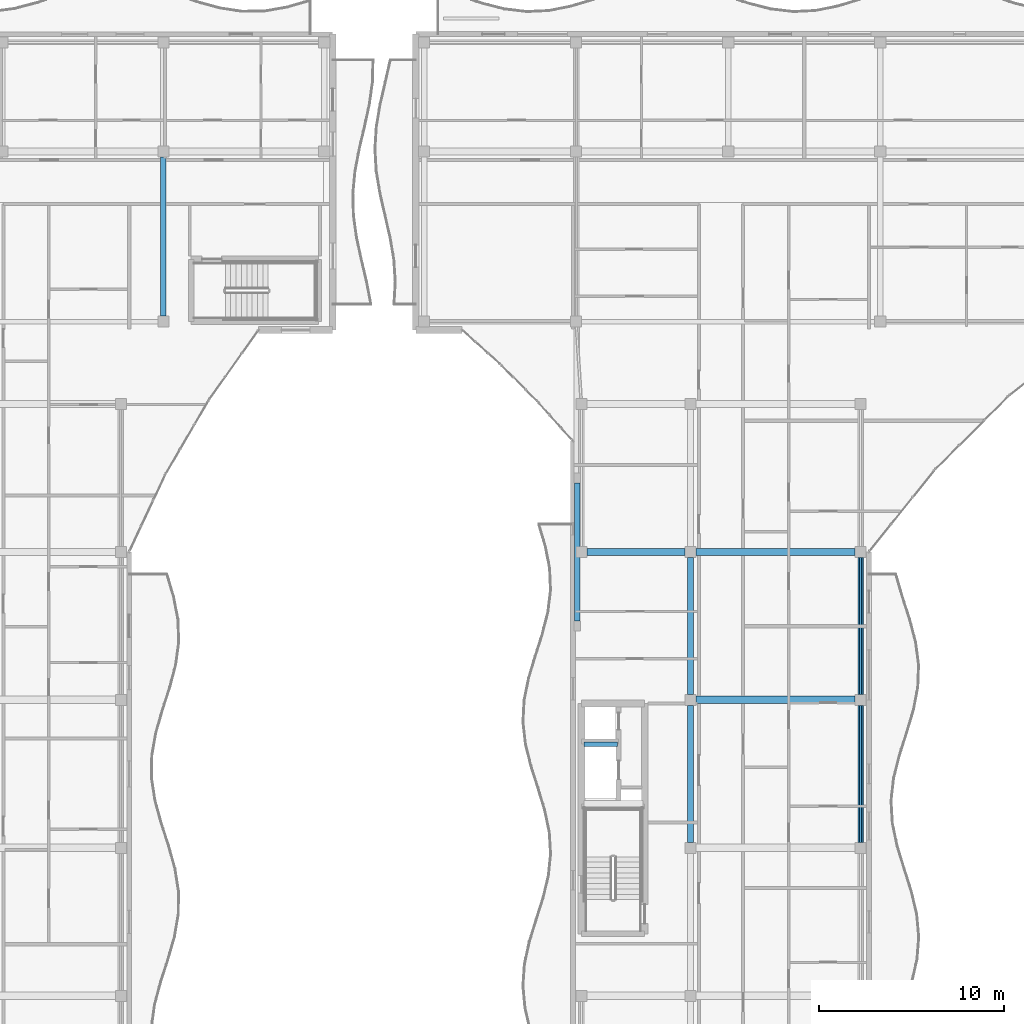
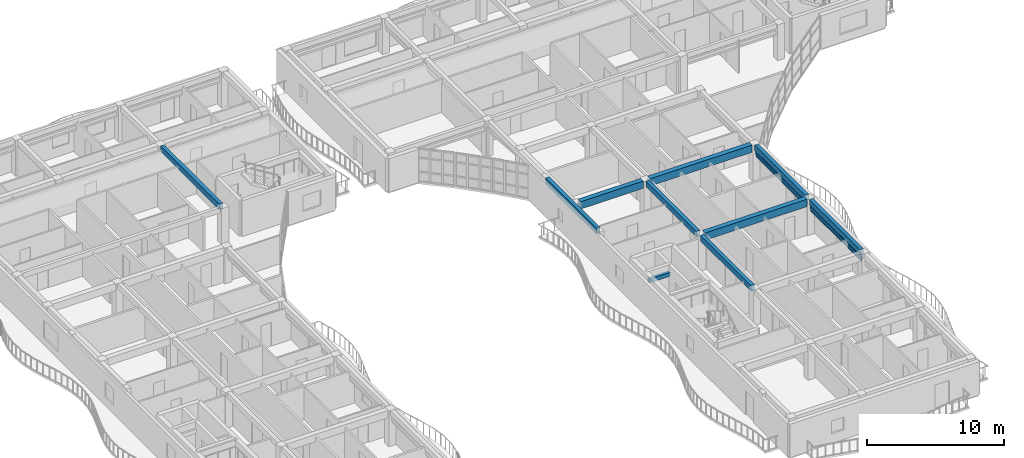
# One storey, part 9 of 79: 10 beams, 4 members.
"""IFC4 building model written with IfcOpenShell, lengths in metres."""

from ifc_helpers import new_model, si_unit, direction, frame, origin, origin_2d, place, context, subcontext, project, spatial, rectangle, hollow_rectangle, extrude, material, material_profile, profile_set, type_object, element, save


model = new_model("IFC4")

# Units and contexts
model_context = context("Model", 3, precision=1e-05, world=origin(), true_north=direction((0.0, 1.0)))
body_context = subcontext(model_context, "Body", "Model", "MODEL_VIEW")
ifc_project = project(units=[si_unit("LENGTHUNIT", "METRE"), si_unit("AREAUNIT", "SQUARE_METRE"), si_unit("VOLUMEUNIT", "CUBIC_METRE"), si_unit("PLANEANGLEUNIT", "RADIAN"), si_unit("MASSUNIT", "GRAM", prefix="KILO")], contexts=[model_context])

# Site, building, storey
site_placement = place(None, origin())
site = spatial("IfcSite", under=ifc_project, at=site_placement, CompositionType="ELEMENT")
building_placement = place(site_placement, origin())
building = spatial("IfcBuilding", under=site, at=building_placement, Name="Keldmere Railside Commons", CompositionType="ELEMENT")
storey_placement = place(building_placement, frame((0.0, 0.0, 10.56005859375)))
storey = spatial("IfcBuildingStorey", under=building, at=storey_placement, Name="L03", CompositionType="ELEMENT", Elevation=10.56005859375)

# Members
ifc_material_1 = material(Name="Steel F-36 (S355)", Category="steel")
ifc_material_profile_1 = material_profile(ifc_material_1, hollow_rectangle(XDim=0.14990234375, YDim=0.25, WallThickness=0.010009765625, at=origin_2d()), Name="RHS-250x150x10")
ifc_profile_set_1 = profile_set([ifc_material_profile_1], Name="Steel F-36 (S355)")
member_type_1 = type_object("IfcMemberType", Name="Balcony Continuous Planted Trough RHS250x150", PredefinedType="CHORD", material=ifc_profile_set_1)
for number, where, z_axis, x_axis, name in (
    (1, (63.550048828125, 72.300048828125, 2.4150390625), (0.0, 1.0, 0.0), (-1.0, 0.0, 0.0), "PLT-1 MEM-BPLT-0383"),
    (2, (63.550048828125, 80.300048828125, 2.4150390625), (0.0, 1.0, 0.0), (-1.0, 0.0, 0.0), "PLT-1 MEM-BPLT-0385"),
):
    element("IfcMember", number, at=place(storey_placement, frame(where, z_axis=z_axis, x_axis=x_axis)), inside=storey, type_object=member_type_1, Name=name, PredefinedType="CHORD", context=body_context, shape_type="SweptSolid", body=[
        extrude(hollow_rectangle(XDim=0.14990234375, YDim=0.25, WallThickness=0.010009765625, at=origin_2d()), origin(), (0.0, 0.0, 1.0), 7.39990234375),
    ])

# Beams
ifc_material_2 = material(Name="Concrete H-30 (C30/37)", Category="concrete")
ifc_material_profile_2 = material_profile(ifc_material_2, rectangle(XDim=0.25, YDim=0.35009765625, at=origin_2d()), Name="RC-250x350")
ifc_profile_set_2 = profile_set([ifc_material_profile_2], Name="Concrete H-30 (C30/37)")
beam_type_1 = type_object("IfcBeamType", Name="Masonry Opening RC Lintel 250x350", PredefinedType="LINTEL", material=ifc_profile_set_2)
beam_1_placement = place(storey_placement, frame((48.590087890625, 77.60009765625, 2.425048828125), z_axis=(1.0, 0.0, 0.0), x_axis=(0.0, 1.0, 0.0)))
element("IfcBeam", 3, at=beam_1_placement, inside=storey, type_object=beam_type_1, Name="LNT-1 BM-L03-2554", PredefinedType="LINTEL", context=body_context, shape_type="SweptSolid", body=[
    extrude(rectangle(XDim=0.25, YDim=0.35009765625, at=origin_2d()), origin(), (0.0, 0.0, 1.0), 1.809814453125),
])
ifc_material_profile_3 = material_profile(ifc_material_2, rectangle(XDim=0.39990234375, YDim=0.64990234375, at=origin_2d()), Name="RC-400x650")
ifc_profile_set_3 = profile_set([ifc_material_profile_3], Name="Concrete H-30 (C30/37)")
beam_type_2 = type_object("IfcBeamType", Name="Residential Spine RC Girder 400x650", PredefinedType="BEAM", material=ifc_profile_set_3)
beam_2_placement = place(storey_placement, frame((54.64990234375, 80.0, 2.875), z_axis=(1.0, 0.0, 0.0), x_axis=(0.0, 1.0, 0.0)))
element("IfcBeam", 4, at=beam_2_placement, inside=storey, type_object=beam_type_2, Name="BG-3 BM-L03-1350", PredefinedType="BEAM", context=body_context, shape_type="SweptSolid", body=[
    extrude(rectangle(XDim=0.39990234375, YDim=0.64990234375, at=origin_2d()), origin(), (0.0, 0.0, 1.0), 8.60009765625),
])
beam_3_placement = place(storey_placement, frame((48.75, 88.0, 2.875), z_axis=(1.0, 0.0, 0.0), x_axis=(0.0, 1.0, 0.0)))
element("IfcBeam", 5, at=beam_3_placement, inside=storey, type_object=beam_type_2, Name="BG-3 BM-L03-1355", PredefinedType="BEAM", context=body_context, shape_type="SweptSolid", body=[
    extrude(rectangle(XDim=0.39990234375, YDim=0.64990234375, at=origin_2d()), origin(), (0.0, 0.0, 1.0), 5.300048828125),
])
beam_4_placement = place(storey_placement, frame((54.64990234375, 88.0, 2.875), z_axis=(1.0, 0.0, 0.0), x_axis=(0.0, 1.0, 0.0)))
element("IfcBeam", 6, at=beam_4_placement, inside=storey, type_object=beam_type_2, Name="BG-3 BM-L03-1356", PredefinedType="BEAM", context=body_context, shape_type="SweptSolid", body=[
    extrude(rectangle(XDim=0.39990234375, YDim=0.64990234375, at=origin_2d()), origin(), (0.0, 0.0, 1.0), 8.60009765625),
])
ifc_material_profile_4 = material_profile(ifc_material_2, rectangle(XDim=0.300048828125, YDim=0.5, at=origin_2d()), Name="RC-300x500")
ifc_profile_set_4 = profile_set([ifc_material_profile_4], Name="Concrete H-30 (C30/37)")
beam_type_3 = type_object("IfcBeamType", Name="Secondary Frame RC Beam 300x500", PredefinedType="BEAM", material=ifc_profile_set_4)
beam_5_placement = place(storey_placement, frame((25.85009765625, 100.75, 2.949951171875), z_axis=(0.0, 1.0, 0.0), x_axis=(-1.0, 0.0, 0.0)))
element("IfcBeam", 7, at=beam_5_placement, inside=storey, type_object=beam_type_3, Name="BG-5 BM-L03-1434", PredefinedType="BEAM", context=body_context, shape_type="SweptSolid", body=[
    extrude(rectangle(XDim=0.300048828125, YDim=0.5, at=origin_2d()), origin(), (0.0, 0.0, 1.0), 8.60009765625),
])
beam_6_placement = place(storey_placement, frame((48.219970703125, 84.27490234375, 2.949951171875), z_axis=(0.0, 1.0, 0.0), x_axis=(-1.0, 0.0, 0.0)))
element("IfcBeam", 8, at=beam_6_placement, inside=storey, type_object=beam_type_3, Name="BG-5 BM-L03-1439", PredefinedType="BEAM", context=body_context, shape_type="SweptSolid", body=[
    extrude(rectangle(XDim=0.300048828125, YDim=0.5, at=origin_2d()), origin(), (0.0, 0.0, 1.0), 7.4501953125),
])
for number, where, z_axis, x_axis, name in (
    (9, (54.35009765625, 72.300048828125, 2.949951171875), (0.0, 1.0, 0.0), (-1.0, 0.0, 0.0), "BG-5 BM-L03-1447"),
    (10, (54.35009765625, 80.300048828125, 2.949951171875), (0.0, 1.0, 0.0), (-1.0, 0.0, 0.0), "BG-5 BM-L03-1448"),
    (11, (63.550048828125, 72.300048828125, 2.949951171875), (0.0, 1.0, 0.0), (-1.0, 0.0, 0.0), "BG-5 BM-L03-1453"),
    (12, (63.550048828125, 80.300048828125, 2.949951171875), (0.0, 1.0, 0.0), (-1.0, 0.0, 0.0), "BG-5 BM-L03-1454"),
):
    element("IfcBeam", number, at=place(storey_placement, frame(where, z_axis=z_axis, x_axis=x_axis)), inside=storey, type_object=beam_type_3, Name=name, PredefinedType="BEAM", context=body_context, shape_type="SweptSolid", body=[
        extrude(rectangle(XDim=0.300048828125, YDim=0.5, at=origin_2d()), origin(), (0.0, 0.0, 1.0), 7.39990234375),
    ])

# Members
ifc_material_profile_5 = material_profile(ifc_material_1, hollow_rectangle(XDim=0.10009765625, YDim=0.159912109375, WallThickness=0.008056640625, at=origin_2d()), Name="RHS-160x100x8")
ifc_profile_set_5 = profile_set([ifc_material_profile_5], Name="Steel F-36 (S355)")
member_type_2 = type_object("IfcMemberType", Name="Solar Brise-Soleil Louvre Fin RHS160x100", PredefinedType="STRUT", material=ifc_profile_set_5)
for number, where, z_axis, x_axis, name in (
    (13, (63.550048828125, 72.300048828125, 2.199951171875), (0.0, 1.0, 0.0), (-1.0, 0.0, 0.0), "BSF-1 MEM-BSF-0384"),
    (14, (63.550048828125, 80.300048828125, 2.199951171875), (0.0, 1.0, 0.0), (-1.0, 0.0, 0.0), "BSF-1 MEM-BSF-0386"),
):
    element("IfcMember", number, at=place(storey_placement, frame(where, z_axis=z_axis, x_axis=x_axis)), inside=storey, type_object=member_type_2, Name=name, PredefinedType="STRUT", context=body_context, shape_type="SweptSolid", body=[
        extrude(hollow_rectangle(XDim=0.10009765625, YDim=0.159912109375, WallThickness=0.008056640625, at=origin_2d()), origin(), (0.0, 0.0, 1.0), 7.39990234375),
    ])

save(model, "model.ifc")
